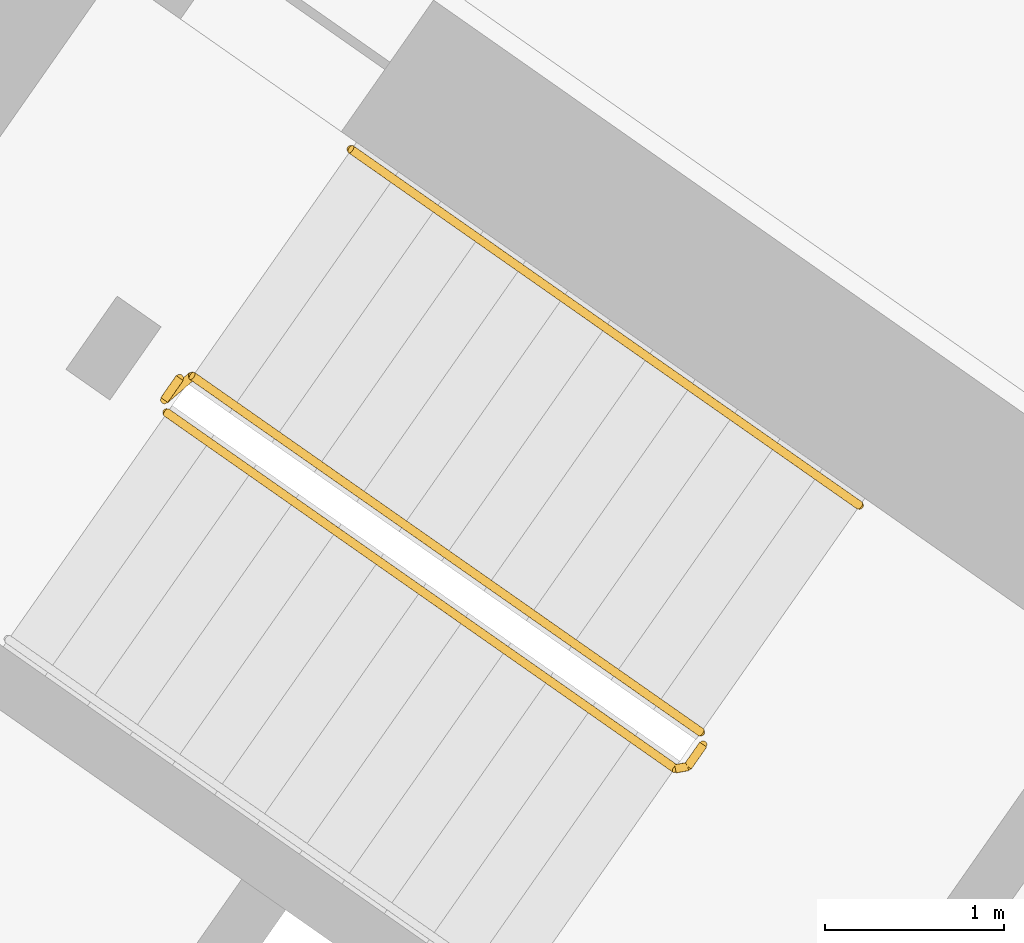
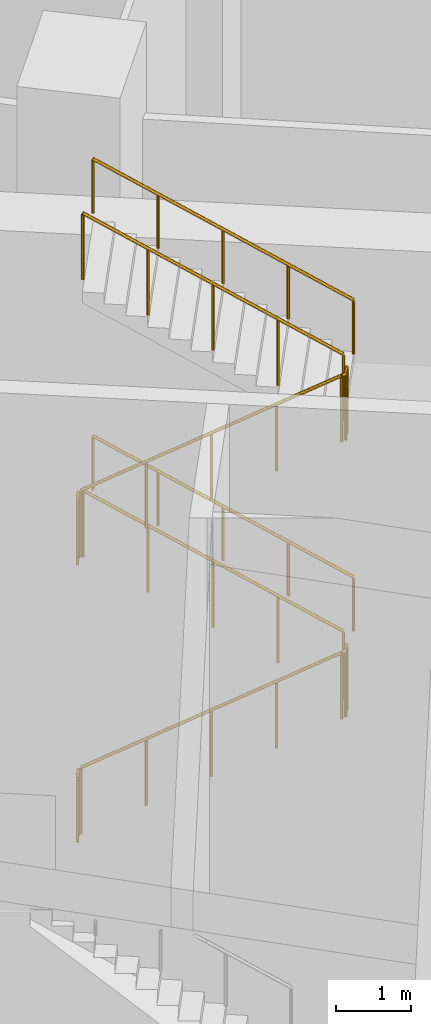
# One storey, part 16 of 19: 7 railings.
"""IFC4 building model written with IfcOpenShell, lengths in metres."""

from ifc_helpers import new_model, si_unit, direction, frame, origin, origin_2d, place, context, subcontext, project, spatial, circle, extrude, material, type_object, element, save


model = new_model("IFC4")

# Units and contexts
model_context = context("Model", 3, precision=1e-05, world=origin(), true_north=direction((0.0, 1.0)))
body_context = subcontext(model_context, "Body", "Model", "MODEL_VIEW")
ifc_project = project(units=[si_unit("LENGTHUNIT", "METRE"), si_unit("AREAUNIT", "SQUARE_METRE"), si_unit("VOLUMEUNIT", "CUBIC_METRE"), si_unit("PLANEANGLEUNIT", "RADIAN"), si_unit("MASSUNIT", "GRAM", prefix="KILO")], contexts=[model_context])

# Site, building, storey
site_placement = place(None, origin())
site = spatial("IfcSite", under=ifc_project, at=site_placement, CompositionType="ELEMENT")
building_placement = place(site_placement, origin())
building = spatial("IfcBuilding", under=site, at=building_placement, Name="Qamariyya Broadcast Tower", CompositionType="ELEMENT")
storey_placement = place(building_placement, frame((0.0, 0.0, 9.0)))
storey = spatial("IfcBuildingStorey", under=building, at=storey_placement, Name="L01", CompositionType="ELEMENT", Elevation=9.0)

# Railings
ifc_material_1 = material(Name="Painted steel", Category="steel")
railing_type_1 = type_object("IfcRailingType", Name="Stair guard", PredefinedType="GUARDRAIL", material=ifc_material_1)
railing_1_placement = place(storey_placement, frame((-41.146728515625, -48.52490234375, 0.173095703125)))
element("IfcRailing", 1, at=railing_1_placement, inside=storey, type_object=railing_type_1, Name="L01 ST-W2 stair guard 1", PredefinedType="GUARDRAIL", context=body_context, shape_type="SweptSolid", body=[
    extrude(circle(Radius=0.02392578125, at=origin_2d()), frame((0.0, 0.0, 1.076171875), z_axis=(0.703423072377, -0.49252265477, 0.512462111562), x_axis=(0.573561211868, 0.819162704376, 0.0)), (0.0, 0.0, 1.0), 4.052734375),
    extrude(circle(Radius=0.02392578125, at=origin_2d()), frame((2.850830078125, -1.99609375, 3.15283203125), z_axis=(0.984363469884, 0.176149252506, 0.0), x_axis=(-0.176149252506, 0.984363469884, 0.0)), (0.0, 0.0, 1.0), 0.07080078125),
    extrude(circle(Radius=0.02392578125, at=origin_2d()), frame((2.92041015625, -1.983642578125, 3.15283203125), z_axis=(0.573353020881, 0.819308436089, 0.0), x_axis=(-0.819308436089, 0.573353020881, 0.0)), (0.0, 0.0, 1.0), 0.14990234375),
    extrude(circle(Radius=0.02099609375, at=origin_2d()), origin(), (0.0, 0.0, 1.0), 1.052001953125),
    extrude(circle(Radius=0.02099609375, at=origin_2d()), frame((0.712646484375, -0.4990234375, 0.519287109375)), (0.0, 0.0, 1.0), 1.052001953125),
    extrude(circle(Radius=0.02099609375, at=origin_2d()), frame((1.42529296875, -0.998046875, 1.03857421875)), (0.0, 0.0, 1.0), 1.052001953125),
    extrude(circle(Radius=0.02099609375, at=origin_2d()), frame((2.13818359375, -1.4970703125, 1.5576171875)), (0.0, 0.0, 1.0), 1.052001953125),
    extrude(circle(Radius=0.02099609375, at=origin_2d()), frame((2.850830078125, -1.99609375, 2.076904296875)), (0.0, 0.0, 1.0), 1.052001953125),
    extrude(circle(Radius=0.02099609375, at=origin_2d()), frame((2.92041015625, -1.983642578125, 2.076904296875)), (0.0, 0.0, 1.0), 1.052001953125),
    extrude(circle(Radius=0.02099609375, at=origin_2d()), frame((3.00634765625, -1.86083984375, 2.076904296875)), (0.0, 0.0, 1.0), 1.052001953125),
])
railing_2_placement = place(storey_placement, frame((-38.152587890625, -50.316162109375, 2.423095703125)))
element("IfcRailing", 2, at=railing_2_placement, inside=storey, type_object=railing_type_1, Name="L01 ST-W2 stair guard 2", PredefinedType="GUARDRAIL", context=body_context, shape_type="SweptSolid", body=[
    extrude(circle(Radius=0.02392578125, at=origin_2d()), frame((0.0, 0.0, 1.076171875), z_axis=(-0.703392637411, 0.492543525477, 0.512483827206), x_axis=(-0.573594173421, -0.819139624372, 0.0)), (0.0, 0.0, 1.0), 4.052734375),
    extrude(circle(Radius=0.02392578125, at=origin_2d()), frame((-2.8505859375, 1.99609375, 3.15283203125), z_axis=(-0.755063954535, -0.655651145474, 0.0), x_axis=(0.655651145474, -0.755063954535, 0.0)), (0.0, 0.0, 1.0), 0.206298828125),
    extrude(circle(Radius=0.02392578125, at=origin_2d()), frame((-3.00634765625, 1.86083984375, 3.15283203125), z_axis=(0.572588637393, 0.819842821722, 0.0), x_axis=(-0.819842821722, 0.572588637393, 0.0)), (0.0, 0.0, 1.0), 0.150146484375),
    extrude(circle(Radius=0.02099609375, at=origin_2d()), origin(), (0.0, 0.0, 1.0), 1.052001953125),
    extrude(circle(Radius=0.02099609375, at=origin_2d()), frame((-0.712646484375, 0.4990234375, 0.519287109375)), (0.0, 0.0, 1.0), 1.052001953125),
    extrude(circle(Radius=0.02099609375, at=origin_2d()), frame((-1.42529296875, 0.998046875, 1.03857421875)), (0.0, 0.0, 1.0), 1.052001953125),
    extrude(circle(Radius=0.02099609375, at=origin_2d()), frame((-2.137939453125, 1.4970703125, 1.5576171875)), (0.0, 0.0, 1.0), 1.052001953125),
    extrude(circle(Radius=0.02099609375, at=origin_2d()), frame((-2.8505859375, 1.99609375, 2.076904296875)), (0.0, 0.0, 1.0), 1.052001953125),
    extrude(circle(Radius=0.02099609375, at=origin_2d()), frame((-3.00634765625, 1.86083984375, 2.076904296875)), (0.0, 0.0, 1.0), 1.052001953125),
    extrude(circle(Radius=0.02099609375, at=origin_2d()), frame((-2.92041015625, 1.98388671875, 2.076904296875)), (0.0, 0.0, 1.0), 1.052001953125),
])
railing_3_placement = place(storey_placement, frame((-41.146728515625, -48.52490234375, 4.673095703125)))
element("IfcRailing", 3, at=railing_3_placement, inside=storey, type_object=railing_type_1, Name="L01 ST-W2 stair guard 3", PredefinedType="GUARDRAIL", context=body_context, shape_type="SweptSolid", body=[
    extrude(circle(Radius=0.02392578125, at=origin_2d()), frame((0.0, 0.0, 1.076171875), z_axis=(0.703423072377, -0.49252265477, 0.512462111562), x_axis=(0.573561211868, 0.819162704376, 0.0)), (0.0, 0.0, 1.0), 4.052734375),
    extrude(circle(Radius=0.02392578125, at=origin_2d()), frame((2.850830078125, -1.99609375, 3.15283203125), z_axis=(0.984363469884, 0.176149252506, 0.0), x_axis=(-0.176149252506, 0.984363469884, 0.0)), (0.0, 0.0, 1.0), 0.07080078125),
    extrude(circle(Radius=0.02392578125, at=origin_2d()), frame((2.92041015625, -1.983642578125, 3.15283203125), z_axis=(0.573353020881, 0.819308436089, 0.0), x_axis=(-0.819308436089, 0.573353020881, 0.0)), (0.0, 0.0, 1.0), 0.14990234375),
    extrude(circle(Radius=0.02099609375, at=origin_2d()), origin(), (0.0, 0.0, 1.0), 1.052001953125),
    extrude(circle(Radius=0.02099609375, at=origin_2d()), frame((0.712646484375, -0.4990234375, 0.519287109375)), (0.0, 0.0, 1.0), 1.052001953125),
    extrude(circle(Radius=0.02099609375, at=origin_2d()), frame((1.42529296875, -0.998046875, 1.03857421875)), (0.0, 0.0, 1.0), 1.052001953125),
    extrude(circle(Radius=0.02099609375, at=origin_2d()), frame((2.13818359375, -1.4970703125, 1.5576171875)), (0.0, 0.0, 1.0), 1.052001953125),
    extrude(circle(Radius=0.02099609375, at=origin_2d()), frame((2.850830078125, -1.99609375, 2.076904296875)), (0.0, 0.0, 1.0), 1.052001953125),
    extrude(circle(Radius=0.02099609375, at=origin_2d()), frame((2.92041015625, -1.983642578125, 2.076904296875)), (0.0, 0.0, 1.0), 1.052001953125),
    extrude(circle(Radius=0.02099609375, at=origin_2d()), frame((3.00634765625, -1.86083984375, 2.076904296875)), (0.0, 0.0, 1.0), 1.052001953125),
])
railing_4_placement = place(storey_placement, frame((-38.152587890625, -50.316162109375, 6.923095703125)))
element("IfcRailing", 4, at=railing_4_placement, inside=storey, type_object=railing_type_1, Name="L01 ST-W2 stair guard 4", PredefinedType="GUARDRAIL", context=body_context, shape_type="SweptSolid", body=[
    extrude(circle(Radius=0.02392578125, at=origin_2d()), frame((0.0, 0.0, 1.076171875), z_axis=(-0.703392637411, 0.492543525477, 0.512483827206), x_axis=(-0.573594173421, -0.819139624372, 0.0)), (0.0, 0.0, 1.0), 4.052734375),
    extrude(circle(Radius=0.02099609375, at=origin_2d()), origin(), (0.0, 0.0, 1.0), 1.052001953125),
    extrude(circle(Radius=0.02099609375, at=origin_2d()), frame((-0.712646484375, 0.4990234375, 0.519287109375)), (0.0, 0.0, 1.0), 1.052001953125),
    extrude(circle(Radius=0.02099609375, at=origin_2d()), frame((-1.42529296875, 0.998046875, 1.03857421875)), (0.0, 0.0, 1.0), 1.052001953125),
    extrude(circle(Radius=0.02099609375, at=origin_2d()), frame((-2.137939453125, 1.4970703125, 1.5576171875)), (0.0, 0.0, 1.0), 1.052001953125),
    extrude(circle(Radius=0.02099609375, at=origin_2d()), frame((-2.8505859375, 1.99609375, 2.076904296875)), (0.0, 0.0, 1.0), 1.052001953125),
])
railing_5_placement = place(storey_placement, frame((-41.158935546875, -48.455322265625, 0.0)))
element("IfcRailing", 5, at=railing_5_placement, inside=storey, type_object=railing_type_1, Name="L01 ST-W2 stair guard 5", PredefinedType="GUARDRAIL", context=body_context, shape_type="SweptSolid", body=[
    extrude(circle(Radius=0.02392578125, at=origin_2d()), frame((0.0, 0.0, 1.076171875), z_axis=(0.572588637393, 0.819842821722, 0.0), x_axis=(-0.819842821722, 0.572588637393, 0.0)), (0.0, 0.0, 1.0), 0.150146484375),
    extrude(circle(Radius=0.02099609375, at=origin_2d()), origin(), (0.0, 0.0, 1.0), 1.052001953125),
    extrude(circle(Radius=0.02099609375, at=origin_2d()), frame((0.0859375, 0.123046875, 0.0)), (0.0, 0.0, 1.0), 1.052001953125),
])
ifc_material_2 = material(Name="Stainless steel", Category="steel")
railing_type_2 = type_object("IfcRailingType", Name="Stair handrail", PredefinedType="HANDRAIL", material=ifc_material_2)
for number, where, name in (
    (6, (-37.263671875, -49.04638671875, 2.423095703125), "L01 ST-W2 stair handrail 2"),
    (7, (-37.263671875, -49.04638671875, 6.923095703125), "L01 ST-W2 stair handrail 4"),
):
    element("IfcRailing", number, at=place(storey_placement, frame(where)), inside=storey, type_object=railing_type_2, Name=name, PredefinedType="HANDRAIL", context=body_context, shape_type="SweptSolid", body=[
        extrude(circle(Radius=0.02392578125, at=origin_2d()), frame((0.0, 0.0, 0.8759765625), z_axis=(-0.703392637411, 0.492543525477, 0.512483827206), x_axis=(-0.573594173421, -0.819139624372, 0.0)), (0.0, 0.0, 1.0), 4.052734375),
        extrude(circle(Radius=0.02099609375, at=origin_2d()), origin(), (0.0, 0.0, 1.0), 0.851806640625),
        extrude(circle(Radius=0.02099609375, at=origin_2d()), frame((-0.712646484375, 0.4990234375, 0.519287109375)), (0.0, 0.0, 1.0), 0.851806640625),
        extrude(circle(Radius=0.02099609375, at=origin_2d()), frame((-1.42529296875, 0.998046875, 1.03857421875)), (0.0, 0.0, 1.0), 0.851806640625),
        extrude(circle(Radius=0.02099609375, at=origin_2d()), frame((-2.137939453125, 1.4970703125, 1.5576171875)), (0.0, 0.0, 1.0), 0.851806640625),
        extrude(circle(Radius=0.02099609375, at=origin_2d()), frame((-2.8505859375, 1.99609375, 2.076904296875)), (0.0, 0.0, 1.0), 0.851806640625),
    ])

save(model, "model.ifc")
